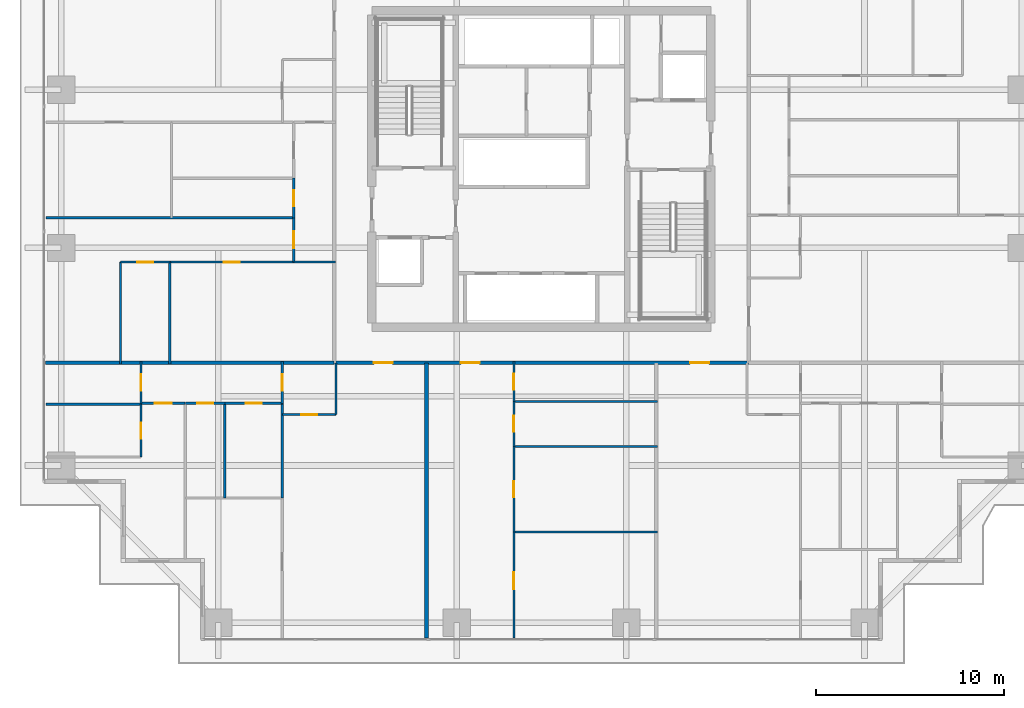
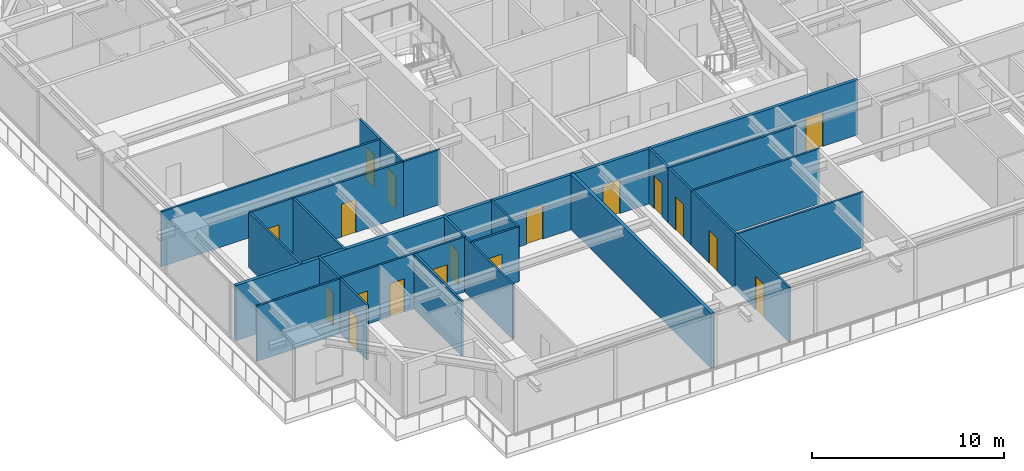
# One storey, part 26 of 37: 29 walls, 18 doors, 18 openings.
"""IFC4 building model written with IfcOpenShell, lengths in metres."""

from ifc_helpers import new_model, si_unit, direction, frame, frame_2d, origin, place, context, subcontext, project, spatial, rectangle, extrude, source, transform, mapped, material, layer, layer_set, type_object, element, fill, save


model = new_model("IFC4")

# Units and contexts
model_context = context("Model", 3, precision=1e-05, world=origin(), true_north=direction((0.0, 1.0)))
body_context = subcontext(model_context, "Body", "Model", "MODEL_VIEW")
ifc_project = project(units=[si_unit("LENGTHUNIT", "METRE"), si_unit("AREAUNIT", "SQUARE_METRE"), si_unit("VOLUMEUNIT", "CUBIC_METRE"), si_unit("PLANEANGLEUNIT", "RADIAN"), si_unit("MASSUNIT", "GRAM", prefix="KILO")], contexts=[model_context])

# Site, building, storey
site_placement = place(None, origin())
site = spatial("IfcSite", under=ifc_project, at=site_placement, CompositionType="ELEMENT")
building_placement = place(site_placement, origin())
building = spatial("IfcBuilding", under=site, at=building_placement, Name="Serunith Strait Residences", CompositionType="ELEMENT")
storey_placement = place(building_placement, frame((0.0, 0.0, 34.199951171875)))
storey = spatial("IfcBuildingStorey", under=building, at=storey_placement, Name="L07", CompositionType="ELEMENT", Elevation=34.199951171875)

# Wall, openings, doors
ifc_material_1 = material(Name="Fire-rated acoustic gypsum partition")
ifc_layer_1 = layer(ifc_material_1, 0.179931640625, Name="Fire-rated acoustic gypsum partition")
ifc_layer_set_1 = layer_set([ifc_layer_1], Name="Fire-rated acoustic gypsum partition")
wall_type_1 = type_object("IfcWallType", Name="IW-CORR-180", PredefinedType="PARTITIONING", material=ifc_layer_set_1)
wall_1_placement = place(storey_placement, frame((21.402099609375, 14.89990234375, 0.0), z_axis=(0.0, 0.0, 1.0), x_axis=(1.0, 0.0, 0.0)))
wall_1 = element("IfcWall", 1, at=wall_1_placement, inside=storey, type_object=wall_type_1, Name="L07 Partition Wall 023", PredefinedType="PARTITIONING", context=body_context, shape_type="SweptSolid", body=[
    extrude(rectangle(XDim=21.995849609375, YDim=0.179931640625, at=frame_2d((10.998046875, 0.0))), origin(), (0.0, 0.0, 1.0), 3.489990234375),
])
opening_1_placement = place(wall_1_placement, frame((2.10009765625, 0.0, 0.0)))
opening_1 = element("IfcOpeningElement", 2, at=opening_1_placement, cuts=wall_1, Name="Opening D-APT1000", PredefinedType="OPENING", context=body_context, shape_type="SweptSolid", body=[
    extrude(rectangle(XDim=1.0, YDim=2.14990234375, at=frame_2d((0.5, 1.074951171875))), frame((0.0, 0.10009765625, 0.0), z_axis=(0.0, -1.0, 0.0), x_axis=(1.0, 0.0, 0.0)), (0.0, 0.0, 1.0), 0.199951171875),
])
opening_2_placement = place(wall_1_placement, frame((6.718994140625, 0.0, 0.0)))
opening_2 = element("IfcOpeningElement", 3, at=opening_2_placement, cuts=wall_1, Name="Opening D-APT1000", PredefinedType="OPENING", context=body_context, shape_type="SweptSolid", body=[
    extrude(rectangle(XDim=1.0, YDim=2.14990234375, at=frame_2d((0.5, 1.074951171875))), frame((0.0, 0.10009765625, 0.0), z_axis=(0.0, -1.0, 0.0), x_axis=(1.0, 0.0, 0.0)), (0.0, 0.0, 1.0), 0.199951171875),
])
opening_3_placement = place(wall_1_placement, frame((18.89599609375, 0.0, 0.0)))
opening_3 = element("IfcOpeningElement", 4, at=opening_3_placement, cuts=wall_1, Name="Opening D-APT1000", PredefinedType="OPENING", context=body_context, shape_type="SweptSolid", body=[
    extrude(rectangle(XDim=1.0, YDim=2.14990234375, at=frame_2d((0.5, 1.074951171875))), frame((0.0, 0.10009765625, 0.0), z_axis=(0.0, -1.0, 0.0), x_axis=(1.0, 0.0, 0.0)), (0.0, 0.0, 1.0), 0.199951171875),
])
ifc_material_2 = material(Name="Solid timber engineered fire door", Category="wood")
door_type_1 = type_object("IfcDoorType", Name="ID-APT-1000", OperationType="NOTDEFINED", PredefinedType="DOOR", material=ifc_material_2)
shared_shape_1 = source(origin(), body_context, "Body", "SweptSolid", [
    extrude(rectangle(XDim=1.0, YDim=2.14990234375, at=frame_2d((0.5, 1.074951171875))), frame((0.0, 0.02490234375, 0.0), z_axis=(0.0, -1.0, 0.0), x_axis=(1.0, 0.0, 0.0)), (0.0, 0.0, 1.0), 0.050048828125),
])
door_1_placement = place(opening_1_placement, origin())
door_1 = element("IfcDoor", 5, at=door_1_placement, inside=storey, type_object=door_type_1, Name="L07 Unit 01 Entrance Door", OperationType="SINGLE_SWING_RIGHT", OverallHeight=2.14990234375, OverallWidth=1.0, PredefinedType="DOOR", context=body_context, shape_type="MappedRepresentation", body=[
    mapped(shared_shape_1, transform((0.0, 0.0, 0.0), scale=1.0)),
])
fill(opening_1, door_1)
door_2_placement = place(opening_2_placement, origin())
door_2 = element("IfcDoor", 6, at=door_2_placement, inside=storey, type_object=door_type_1, Name="L07 Unit 02 Entrance Door", OperationType="SINGLE_SWING_LEFT", OverallHeight=2.14990234375, OverallWidth=1.0, PredefinedType="DOOR", context=body_context, shape_type="MappedRepresentation", body=[
    mapped(shared_shape_1, transform((0.0, 0.0, 0.0), scale=1.0)),
])
fill(opening_2, door_2)
door_3_placement = place(opening_3_placement, origin())
door_3 = element("IfcDoor", 7, at=door_3_placement, inside=storey, type_object=door_type_1, Name="L07 Unit 03 Entrance Door", OperationType="SINGLE_SWING_RIGHT", OverallHeight=2.14990234375, OverallWidth=1.0, PredefinedType="DOOR", context=body_context, shape_type="MappedRepresentation", body=[
    mapped(shared_shape_1, transform((0.0, 0.0, 0.0), scale=1.0)),
])
fill(opening_3, door_3)

# Wall, opening, door
ifc_material_3 = material(Name="Lightweight steel-stud gypsum partition", Category="steel")
ifc_layer_2 = layer(ifc_material_3, 0.1201171875, Name="Lightweight steel-stud gypsum partition")
ifc_layer_set_2 = layer_set([ifc_layer_2], Name="Lightweight steel-stud gypsum partition")
wall_type_2 = type_object("IfcWallType", Name="IW-PART-120", PredefinedType="PARTITIONING", material=ifc_layer_set_2)
wall_2_placement = place(storey_placement, frame((18.639892578125, 12.14990234375, 0.0), z_axis=(0.0, 0.0, 1.0), x_axis=(1.0, 0.0, 0.0)))
wall_2 = element("IfcWall", 8, at=wall_2_placement, inside=storey, type_object=wall_type_2, Name="L07 Partition Wall 027", PredefinedType="PARTITIONING", context=body_context, shape_type="SweptSolid", body=[
    extrude(rectangle(XDim=2.85009765625, YDim=0.1201171875, at=frame_2d((1.425048828125, 0.0))), origin(), (0.0, 0.0, 1.0), 3.489990234375),
])
opening_4_placement = place(wall_2_placement, frame((1.0, 0.0, 0.0)))
opening_4 = element("IfcOpeningElement", 9, at=opening_4_placement, cuts=wall_2, Name="Opening D-RM850", PredefinedType="OPENING", context=body_context, shape_type="SweptSolid", body=[
    extrude(rectangle(XDim=0.85009765625, YDim=2.10009765625, at=frame_2d((0.425048828125, 1.050048828125))), frame((0.0, 0.070068359375, 0.0), z_axis=(0.0, -1.0, 0.0), x_axis=(1.0, 0.0, 0.0)), (0.0, 0.0, 1.0), 0.14013671875),
])
ifc_material_4 = material(Name="Engineered timber flush study and kitchen door", Category="wood")
door_type_2 = type_object("IfcDoorType", Name="ID-ROOM-850", OperationType="NOTDEFINED", PredefinedType="DOOR", material=ifc_material_4)
shared_shape_2 = source(origin(), body_context, "Body", "SweptSolid", [
    extrude(rectangle(XDim=0.85009765625, YDim=2.10009765625, at=frame_2d((0.425048828125, 1.050048828125))), frame((0.0, 0.02490234375, 0.0), z_axis=(0.0, -1.0, 0.0), x_axis=(1.0, 0.0, 0.0)), (0.0, 0.0, 1.0), 0.050048828125),
])
door_4_placement = place(opening_4_placement, origin())
door_4 = element("IfcDoor", 10, at=door_4_placement, inside=storey, type_object=door_type_2, Name="L07 Kitchen 0701 Door", OperationType="SINGLE_SWING_RIGHT", OverallHeight=2.10009765625, OverallWidth=0.85009765625, PredefinedType="DOOR", context=body_context, shape_type="MappedRepresentation", body=[
    mapped(shared_shape_2, transform((0.0, 0.0, 0.0), scale=1.0)),
])
fill(opening_4, door_4)

# Wall
wall_3_placement = place(storey_placement, frame((21.489990234375, 12.14990234375, 0.0), z_axis=(0.0, 0.0, 1.0), x_axis=(0.0, 1.0, 0.0)))
element("IfcWall", 11, at=wall_3_placement, inside=storey, type_object=wall_type_2, Name="L07 Partition Wall 028", PredefinedType="PARTITIONING", context=body_context, shape_type="SweptSolid", body=[
    extrude(rectangle(XDim=2.748046875, YDim=0.1201171875, at=frame_2d((1.3740234375, 0.0))), origin(), (0.0, 0.0, 1.0), 3.489990234375),
])

# Wall, opening, door
wall_4_placement = place(storey_placement, frame((18.639892578125, 12.75, 0.0), z_axis=(0.0, 0.0, 1.0), x_axis=(0.0, 1.0, 0.0)))
wall_4 = element("IfcWall", 12, at=wall_4_placement, inside=storey, type_object=wall_type_2, Name="L07 Partition Wall 029", PredefinedType="PARTITIONING", context=body_context, shape_type="SweptSolid", body=[
    extrude(rectangle(XDim=2.2099609375, YDim=0.1201171875, at=frame_2d((1.10498046875, 0.0))), origin(), (0.0, 0.0, 1.0), 3.489990234375),
])
opening_5_placement = place(wall_4_placement, frame((0.655029296875, 0.0, 0.0)))
opening_5 = element("IfcOpeningElement", 13, at=opening_5_placement, cuts=wall_4, Name="Opening D-RM900", PredefinedType="OPENING", context=body_context, shape_type="SweptSolid", body=[
    extrude(rectangle(XDim=0.89990234375, YDim=2.10009765625, at=frame_2d((0.449951171875, 1.050048828125))), frame((0.0, 0.070068359375, 0.0), z_axis=(0.0, -1.0, 0.0), x_axis=(1.0, 0.0, 0.0)), (0.0, 0.0, 1.0), 0.14013671875),
])
ifc_material_5 = material(Name="Engineered timber flush bedroom door", Category="wood")
door_type_3 = type_object("IfcDoorType", Name="ID-ROOM-900", OperationType="NOTDEFINED", PredefinedType="DOOR", material=ifc_material_5)
shared_shape_3 = source(origin(), body_context, "Body", "SweptSolid", [
    extrude(rectangle(XDim=0.89990234375, YDim=2.10009765625, at=frame_2d((0.449951171875, 1.050048828125))), frame((0.0, 0.02490234375, 0.0), z_axis=(0.0, -1.0, 0.0), x_axis=(1.0, 0.0, 0.0)), (0.0, 0.0, 1.0), 0.050048828125),
])
door_5_placement = place(opening_5_placement, origin())
door_5 = element("IfcDoor", 14, at=door_5_placement, inside=storey, type_object=door_type_3, Name="L07 Hall W 0701 Door", OperationType="SINGLE_SWING_LEFT", OverallHeight=2.10009765625, OverallWidth=0.89990234375, PredefinedType="DOOR", context=body_context, shape_type="MappedRepresentation", body=[
    mapped(shared_shape_3, transform((0.0, 0.0, 0.0), scale=1.0)),
])
fill(opening_5, door_5)

# Walls
wall_5_placement = place(storey_placement, frame((18.639892578125, 7.72998046875, 0.0), z_axis=(0.0, 0.0, 1.0), x_axis=(0.0, 1.0, 0.0)))
element("IfcWall", 15, at=wall_5_placement, inside=storey, type_object=wall_type_2, Name="L07 Partition Wall 031", PredefinedType="PARTITIONING", context=body_context, shape_type="SweptSolid", body=[
    extrude(rectangle(XDim=5.01806640625, YDim=0.1201171875, at=frame_2d((2.509033203125, 0.0))), origin(), (0.0, 0.0, 1.0), 3.489990234375),
])
wall_6_placement = place(storey_placement, frame((15.590087890625, 7.72802734375, 0.0), z_axis=(0.0, 0.0, 1.0), x_axis=(0.0, 1.0, 0.0)))
element("IfcWall", 16, at=wall_6_placement, inside=storey, type_object=wall_type_2, Name="L07 Partition Wall 034", PredefinedType="PARTITIONING", context=body_context, shape_type="SweptSolid", body=[
    extrude(rectangle(XDim=5.02197265625, YDim=0.1201171875, at=frame_2d((2.510986328125, 0.0))), origin(), (0.0, 0.0, 1.0), 3.489990234375),
])

# Wall, opening, door
wall_7_placement = place(storey_placement, frame((13.489990234375, 12.75, 0.0), z_axis=(0.0, 0.0, 1.0), x_axis=(1.0, 0.0, 0.0)))
wall_7 = element("IfcWall", 17, at=wall_7_placement, inside=storey, type_object=wall_type_2, Name="L07 Partition Wall 035", PredefinedType="PARTITIONING", context=body_context, shape_type="SweptSolid", body=[
    extrude(rectangle(XDim=2.10009765625, YDim=0.1201171875, at=frame_2d((1.050048828125, 0.0))), origin(), (0.0, 0.0, 1.0), 3.489990234375),
])
opening_6_placement = place(wall_7_placement, frame((0.625, 0.0, 0.0)))
opening_6 = element("IfcOpeningElement", 18, at=opening_6_placement, cuts=wall_7, Name="Opening D-BTH850", PredefinedType="OPENING", context=body_context, shape_type="SweptSolid", body=[
    extrude(rectangle(XDim=0.85009765625, YDim=2.10009765625, at=frame_2d((0.425048828125, 1.050048828125))), frame((0.0, 0.070068359375, 0.0), z_axis=(0.0, -1.0, 0.0), x_axis=(1.0, 0.0, 0.0)), (0.0, 0.0, 1.0), 0.14013671875),
])
ifc_material_6 = material(Name="Moisture-resistant timber bathroom door", Category="wood")
door_type_4 = type_object("IfcDoorType", Name="ID-BATH-850", OperationType="NOTDEFINED", PredefinedType="DOOR", material=ifc_material_6)
door_6_placement = place(opening_6_placement, origin())
door_6 = element("IfcDoor", 19, at=door_6_placement, inside=storey, type_object=door_type_4, Name="L07 Bathroom 0701 Door", OperationType="SINGLE_SWING_LEFT", OverallHeight=2.10009765625, OverallWidth=0.85009765625, PredefinedType="DOOR", context=body_context, shape_type="MappedRepresentation", body=[
    mapped(shared_shape_2, transform((0.0, 0.0, 0.0), scale=1.0)),
])
fill(opening_6, door_6)

wall_8_placement = place(storey_placement, frame((15.592041015625, 12.75, 0.0), z_axis=(0.0, 0.0, 1.0), x_axis=(1.0, 0.0, 0.0)))
wall_8 = element("IfcWall", 20, at=wall_8_placement, inside=storey, type_object=wall_type_2, Name="L07 Partition Wall 036", PredefinedType="PARTITIONING", context=body_context, shape_type="SweptSolid", body=[
    extrude(rectangle(XDim=3.0478515625, YDim=0.1201171875, at=frame_2d((1.52392578125, 0.0))), origin(), (0.0, 0.0, 1.0), 3.489990234375),
])
opening_7_placement = place(wall_8_placement, frame((1.09912109375, 0.0, 0.0)))
opening_7 = element("IfcOpeningElement", 21, at=opening_7_placement, cuts=wall_8, Name="Opening D-RM850", PredefinedType="OPENING", context=body_context, shape_type="SweptSolid", body=[
    extrude(rectangle(XDim=0.85009765625, YDim=2.10009765625, at=frame_2d((0.425048828125, 1.050048828125))), frame((0.0, 0.070068359375, 0.0), z_axis=(0.0, -1.0, 0.0), x_axis=(1.0, 0.0, 0.0)), (0.0, 0.0, 1.0), 0.14013671875),
])
door_7_placement = place(opening_7_placement, origin())
door_7 = element("IfcDoor", 22, at=door_7_placement, inside=storey, type_object=door_type_2, Name="L07 Formal Dining Room 0701 Door", OperationType="SINGLE_SWING_RIGHT", OverallHeight=2.10009765625, OverallWidth=0.85009765625, PredefinedType="DOOR", context=body_context, shape_type="MappedRepresentation", body=[
    mapped(shared_shape_2, transform((0.0, 0.0, 0.0), scale=1.0)),
])
fill(opening_7, door_7)

wall_9_placement = place(storey_placement, frame((11.139892578125, 12.75, 0.0), z_axis=(0.0, 0.0, 1.0), x_axis=(1.0, 0.0, 0.0)))
wall_9 = element("IfcWall", 23, at=wall_9_placement, inside=storey, type_object=wall_type_2, Name="L07 Partition Wall 037", PredefinedType="PARTITIONING", context=body_context, shape_type="SweptSolid", body=[
    extrude(rectangle(XDim=2.34814453125, YDim=0.1201171875, at=frame_2d((1.174072265625, 0.0))), origin(), (0.0, 0.0, 1.0), 3.489990234375),
])
opening_8_placement = place(wall_9_placement, frame((0.72412109375, 0.0, 0.0)))
opening_8 = element("IfcOpeningElement", 24, at=opening_8_placement, cuts=wall_9, Name="Opening D-RM900", PredefinedType="OPENING", context=body_context, shape_type="SweptSolid", body=[
    extrude(rectangle(XDim=0.89990234375, YDim=2.10009765625, at=frame_2d((0.449951171875, 1.050048828125))), frame((0.0, 0.070068359375, 0.0), z_axis=(0.0, -1.0, 0.0), x_axis=(1.0, 0.0, 0.0)), (0.0, 0.0, 1.0), 0.14013671875),
])
door_8_placement = place(opening_8_placement, origin())
door_8 = element("IfcDoor", 25, at=door_8_placement, inside=storey, type_object=door_type_3, Name="L07 Master Bedroom W 0701 Door", OperationType="SINGLE_SWING_LEFT", OverallHeight=2.10009765625, OverallWidth=0.89990234375, PredefinedType="DOOR", context=body_context, shape_type="MappedRepresentation", body=[
    mapped(shared_shape_3, transform((0.0, 0.0, 0.0), scale=1.0)),
])
fill(opening_8, door_8)

# Wall
wall_10_placement = place(storey_placement, frame((6.094970703125, 12.701904296875, 0.0), z_axis=(0.0, 0.0, 1.0), x_axis=(1.0, 0.0, 0.0)))
element("IfcWall", 26, at=wall_10_placement, inside=storey, type_object=wall_type_2, Name="L07 Partition Wall 039", PredefinedType="PARTITIONING", context=body_context, shape_type="SweptSolid", body=[
    extrude(rectangle(XDim=5.04296875, YDim=0.1201171875, at=frame_2d((2.521484375, 0.0))), origin(), (0.0, 0.0, 1.0), 3.489990234375),
])

# Wall, opening, door
wall_11_placement = place(storey_placement, frame((11.139892578125, 9.89404296875, 0.0), z_axis=(0.0, 0.0, 1.0), x_axis=(0.0, 1.0, 0.0)))
wall_11 = element("IfcWall", 27, at=wall_11_placement, inside=storey, type_object=wall_type_2, Name="L07 Partition Wall 040", PredefinedType="PARTITIONING", context=body_context, shape_type="SweptSolid", body=[
    extrude(rectangle(XDim=2.807861328125, YDim=0.1201171875, at=frame_2d((1.40380859375, 0.0))), origin(), (0.0, 0.0, 1.0), 3.489990234375),
])
opening_9_placement = place(wall_11_placement, frame((0.97900390625, 0.0, 0.0)))
opening_9 = element("IfcOpeningElement", 28, at=opening_9_placement, cuts=wall_11, Name="Opening D-BTH850", PredefinedType="OPENING", context=body_context, shape_type="SweptSolid", body=[
    extrude(rectangle(XDim=0.85009765625, YDim=2.10009765625, at=frame_2d((0.425048828125, 1.050048828125))), frame((0.0, 0.070068359375, 0.0), z_axis=(0.0, -1.0, 0.0), x_axis=(1.0, 0.0, 0.0)), (0.0, 0.0, 1.0), 0.14013671875),
])
door_9_placement = place(opening_9_placement, origin())
door_9 = element("IfcDoor", 29, at=door_9_placement, inside=storey, type_object=door_type_4, Name="L07 En-suite Bathroom W 0701 Door", OperationType="SINGLE_SWING_RIGHT", OverallHeight=2.10009765625, OverallWidth=0.85009765625, PredefinedType="DOOR", context=body_context, shape_type="MappedRepresentation", body=[
    mapped(shared_shape_2, transform((0.0, 0.0, 0.0), scale=1.0)),
])
fill(opening_9, door_9)

wall_12_placement = place(storey_placement, frame((11.139892578125, 12.75, 0.0), z_axis=(0.0, 0.0, 1.0), x_axis=(0.0, 1.0, 0.0)))
wall_12 = element("IfcWall", 30, at=wall_12_placement, inside=storey, type_object=wall_type_2, Name="L07 Partition Wall 041", PredefinedType="PARTITIONING", context=body_context, shape_type="SweptSolid", body=[
    extrude(rectangle(XDim=2.2099609375, YDim=0.1201171875, at=frame_2d((1.10498046875, 0.0))), origin(), (0.0, 0.0, 1.0), 3.489990234375),
])
opening_10_placement = place(wall_12_placement, frame((0.679931640625, 0.0, 0.0)))
opening_10 = element("IfcOpeningElement", 31, at=opening_10_placement, cuts=wall_12, Name="Opening D-RM850", PredefinedType="OPENING", context=body_context, shape_type="SweptSolid", body=[
    extrude(rectangle(XDim=0.85009765625, YDim=2.10009765625, at=frame_2d((0.425048828125, 1.050048828125))), frame((0.0, 0.070068359375, 0.0), z_axis=(0.0, -1.0, 0.0), x_axis=(1.0, 0.0, 0.0)), (0.0, 0.0, 1.0), 0.14013671875),
])
door_10_placement = place(opening_10_placement, origin())
door_10 = element("IfcDoor", 32, at=door_10_placement, inside=storey, type_object=door_type_2, Name="L07 Wardrobe W 0701 Door", OperationType="SINGLE_SWING_LEFT", OverallHeight=2.10009765625, OverallWidth=0.85009765625, PredefinedType="DOOR", context=body_context, shape_type="MappedRepresentation", body=[
    mapped(shared_shape_2, transform((0.0, 0.0, 0.0), scale=1.0)),
])
fill(opening_10, door_10)

wall_13_placement = place(storey_placement, frame((30.93994140625, 0.294921875, 0.0), z_axis=(0.0, 0.0, 1.0), x_axis=(0.0, 1.0, 0.0)))
wall_13 = element("IfcWall", 33, at=wall_13_placement, inside=storey, type_object=wall_type_2, Name="L07 Partition Wall 042", PredefinedType="PARTITIONING", context=body_context, shape_type="SweptSolid", body=[
    extrude(rectangle(XDim=5.619140625, YDim=0.1201171875, at=frame_2d((2.8095703125, 0.0))), origin(), (0.0, 0.0, 1.0), 3.489990234375),
])
opening_11_placement = place(wall_13_placement, frame((2.594970703125, 0.0, 0.0)))
opening_11 = element("IfcOpeningElement", 34, at=opening_11_placement, cuts=wall_13, Name="Opening D-RM900", PredefinedType="OPENING", context=body_context, shape_type="SweptSolid", body=[
    extrude(rectangle(XDim=0.89990234375, YDim=2.10009765625, at=frame_2d((0.449951171875, 1.050048828125))), frame((0.0, 0.070068359375, 0.0), z_axis=(0.0, -1.0, 0.0), x_axis=(1.0, 0.0, 0.0)), (0.0, 0.0, 1.0), 0.14013671875),
])
door_11_placement = place(opening_11_placement, origin())
door_11 = element("IfcDoor", 35, at=door_11_placement, inside=storey, type_object=door_type_3, Name="L07 Master Bedroom 1 0702 Door", OperationType="SINGLE_SWING_RIGHT", OverallHeight=2.10009765625, OverallWidth=0.89990234375, PredefinedType="DOOR", context=body_context, shape_type="MappedRepresentation", body=[
    mapped(shared_shape_3, transform((0.0, 0.0, 0.0), scale=1.0)),
])
fill(opening_11, door_11)

# Walls
for number, where, z_axis, x_axis, name in (
    (36, (30.93994140625, 5.9140625, 0.0), (0.0, 0.0, 1.0), (1.0, 0.0, 0.0), "L07 Partition Wall 043"),
    (37, (30.93994140625, 10.4560546875, 0.0), (0.0, 0.0, 1.0), (1.0, 0.0, 0.0), "L07 Partition Wall 044"),
    (38, (30.93994140625, 12.85009765625, 0.0), (0.0, 0.0, 1.0), (1.0, 0.0, 0.0), "L07 Partition Wall 045"),
):
    element("IfcWall", number, at=place(storey_placement, frame(where, z_axis=z_axis, x_axis=x_axis)), inside=storey, type_object=wall_type_2, Name=name, PredefinedType="PARTITIONING", context=body_context, shape_type="SweptSolid", body=[
        extrude(rectangle(XDim=7.6201171875, YDim=0.1201171875, at=frame_2d((3.81005859375, 0.0))), origin(), (0.0, 0.0, 1.0), 3.489990234375),
    ])

# Wall, opening, door
wall_14_placement = place(storey_placement, frame((30.93994140625, 5.916015625, 0.0), z_axis=(0.0, 0.0, 1.0), x_axis=(0.0, 1.0, 0.0)))
wall_14 = element("IfcWall", 39, at=wall_14_placement, inside=storey, type_object=wall_type_2, Name="L07 Partition Wall 046", PredefinedType="PARTITIONING", context=body_context, shape_type="SweptSolid", body=[
    extrude(rectangle(XDim=4.5400390625, YDim=0.1201171875, at=frame_2d((2.27001953125, 0.0))), origin(), (0.0, 0.0, 1.0), 3.489990234375),
])
opening_12_placement = place(wall_14_placement, frame((1.844970703125, 0.0, 0.0)))
opening_12 = element("IfcOpeningElement", 40, at=opening_12_placement, cuts=wall_14, Name="Opening D-RM850", PredefinedType="OPENING", context=body_context, shape_type="SweptSolid", body=[
    extrude(rectangle(XDim=0.85009765625, YDim=2.10009765625, at=frame_2d((0.425048828125, 1.050048828125))), frame((0.0, 0.070068359375, 0.0), z_axis=(0.0, -1.0, 0.0), x_axis=(1.0, 0.0, 0.0)), (0.0, 0.0, 1.0), 0.14013671875),
])
door_12_placement = place(opening_12_placement, origin())
door_12 = element("IfcDoor", 41, at=door_12_placement, inside=storey, type_object=door_type_2, Name="L07 Dining 0702 Door", OperationType="SINGLE_SWING_LEFT", OverallHeight=2.10009765625, OverallWidth=0.85009765625, PredefinedType="DOOR", context=body_context, shape_type="MappedRepresentation", body=[
    mapped(shared_shape_2, transform((0.0, 0.0, 0.0), scale=1.0)),
])
fill(opening_12, door_12)

wall_15_placement = place(storey_placement, frame((30.93994140625, 10.4580078125, 0.0), z_axis=(0.0, 0.0, 1.0), x_axis=(0.0, 1.0, 0.0)))
wall_15 = element("IfcWall", 42, at=wall_15_placement, inside=storey, type_object=wall_type_2, Name="L07 Partition Wall 047", PredefinedType="PARTITIONING", context=body_context, shape_type="SweptSolid", body=[
    extrude(rectangle(XDim=2.39208984375, YDim=0.1201171875, at=frame_2d((1.196044921875, 0.0))), origin(), (0.0, 0.0, 1.0), 3.489990234375),
])
opening_13_placement = place(wall_15_placement, frame((0.77099609375, 0.0, 0.0)))
opening_13 = element("IfcOpeningElement", 43, at=opening_13_placement, cuts=wall_15, Name="Opening D-RM850", PredefinedType="OPENING", context=body_context, shape_type="SweptSolid", body=[
    extrude(rectangle(XDim=0.85009765625, YDim=2.10009765625, at=frame_2d((0.425048828125, 1.050048828125))), frame((0.0, 0.070068359375, 0.0), z_axis=(0.0, -1.0, 0.0), x_axis=(1.0, 0.0, 0.0)), (0.0, 0.0, 1.0), 0.14013671875),
])
door_13_placement = place(opening_13_placement, origin())
door_13 = element("IfcDoor", 44, at=door_13_placement, inside=storey, type_object=door_type_2, Name="L07 Kitchen 0702 Door", OperationType="SINGLE_SWING_RIGHT", OverallHeight=2.10009765625, OverallWidth=0.85009765625, PredefinedType="DOOR", context=body_context, shape_type="MappedRepresentation", body=[
    mapped(shared_shape_2, transform((0.0, 0.0, 0.0), scale=1.0)),
])
fill(opening_13, door_13)

wall_16_placement = place(storey_placement, frame((30.93994140625, 12.85205078125, 0.0), z_axis=(0.0, 0.0, 1.0), x_axis=(0.0, 1.0, 0.0)))
wall_16 = element("IfcWall", 45, at=wall_16_placement, inside=storey, type_object=wall_type_2, Name="L07 Partition Wall 048", PredefinedType="PARTITIONING", context=body_context, shape_type="SweptSolid", body=[
    extrude(rectangle(XDim=2.10791015625, YDim=0.1201171875, at=frame_2d((1.053955078125, 0.0))), origin(), (0.0, 0.0, 1.0), 3.489990234375),
])
opening_14_placement = place(wall_16_placement, frame((0.62890625, 0.0, 0.0)))
opening_14 = element("IfcOpeningElement", 46, at=opening_14_placement, cuts=wall_16, Name="Opening D-BTH850", PredefinedType="OPENING", context=body_context, shape_type="SweptSolid", body=[
    extrude(rectangle(XDim=0.85009765625, YDim=2.10009765625, at=frame_2d((0.425048828125, 1.050048828125))), frame((0.0, 0.070068359375, 0.0), z_axis=(0.0, -1.0, 0.0), x_axis=(1.0, 0.0, 0.0)), (0.0, 0.0, 1.0), 0.14013671875),
])
door_14_placement = place(opening_14_placement, origin())
door_14 = element("IfcDoor", 47, at=door_14_placement, inside=storey, type_object=door_type_4, Name="L07 Bathroom 0702 Door", OperationType="SINGLE_SWING_LEFT", OverallHeight=2.10009765625, OverallWidth=0.85009765625, PredefinedType="DOOR", context=body_context, shape_type="MappedRepresentation", body=[
    mapped(shared_shape_2, transform((0.0, 0.0, 0.0), scale=1.0)),
])
fill(opening_14, door_14)

# Wall
wall_17_placement = place(storey_placement, frame((6.094970703125, 22.60009765625, 0.0), z_axis=(0.0, 0.0, 1.0), x_axis=(1.0, 0.0, 0.0)))
element("IfcWall", 48, at=wall_17_placement, inside=storey, type_object=wall_type_2, Name="L07 Partition Wall 107", PredefinedType="PARTITIONING", context=body_context, shape_type="SweptSolid", body=[
    extrude(rectangle(XDim=13.155029296875, YDim=0.1201171875, at=frame_2d((6.57763671875, 0.0))), origin(), (0.0, 0.0, 1.0), 3.489990234375),
])

# Wall, opening, door
wall_18_placement = place(storey_placement, frame((19.25, 22.60009765625, 0.0), z_axis=(0.0, 0.0, 1.0), x_axis=(0.0, 1.0, 0.0)))
wall_18 = element("IfcWall", 49, at=wall_18_placement, inside=storey, type_object=wall_type_2, Name="L07 Partition Wall 109", PredefinedType="PARTITIONING", context=body_context, shape_type="SweptSolid", body=[
    extrude(rectangle(XDim=2.099853515625, YDim=0.1201171875, at=frame_2d((1.0498046875, 0.0))), origin(), (0.0, 0.0, 1.0), 3.489990234375),
])
opening_15_placement = place(wall_18_placement, frame((0.625, 0.0, 0.0)))
opening_15 = element("IfcOpeningElement", 50, at=opening_15_placement, cuts=wall_18, Name="Opening D-BTH850", PredefinedType="OPENING", context=body_context, shape_type="SweptSolid", body=[
    extrude(rectangle(XDim=0.85009765625, YDim=2.10009765625, at=frame_2d((0.425048828125, 1.050048828125))), frame((0.0, 0.070068359375, 0.0), z_axis=(0.0, -1.0, 0.0), x_axis=(1.0, 0.0, 0.0)), (0.0, 0.0, 1.0), 0.14013671875),
])
door_15_placement = place(opening_15_placement, origin())
door_15 = element("IfcDoor", 51, at=door_15_placement, inside=storey, type_object=door_type_4, Name="L07 Bathroom 0707 Door", OperationType="SINGLE_SWING_LEFT", OverallHeight=2.10009765625, OverallWidth=0.85009765625, PredefinedType="DOOR", context=body_context, shape_type="MappedRepresentation", body=[
    mapped(shared_shape_2, transform((0.0, 0.0, 0.0), scale=1.0)),
])
fill(opening_15, door_15)

wall_19_placement = place(storey_placement, frame((19.25, 20.25, 0.0), z_axis=(0.0, 0.0, 1.0), x_axis=(0.0, 1.0, 0.0)))
wall_19 = element("IfcWall", 52, at=wall_19_placement, inside=storey, type_object=wall_type_2, Name="L07 Partition Wall 111", PredefinedType="PARTITIONING", context=body_context, shape_type="SweptSolid", body=[
    extrude(rectangle(XDim=2.347900390625, YDim=0.1201171875, at=frame_2d((1.173828125, 0.0))), origin(), (0.0, 0.0, 1.0), 3.489990234375),
])
opening_16_placement = place(wall_19_placement, frame((0.72412109375, 0.0, 0.0)))
opening_16 = element("IfcOpeningElement", 53, at=opening_16_placement, cuts=wall_19, Name="Opening D-RM900", PredefinedType="OPENING", context=body_context, shape_type="SweptSolid", body=[
    extrude(rectangle(XDim=0.89990234375, YDim=2.10009765625, at=frame_2d((0.449951171875, 1.050048828125))), frame((0.0, 0.070068359375, 0.0), z_axis=(0.0, -1.0, 0.0), x_axis=(1.0, 0.0, 0.0)), (0.0, 0.0, 1.0), 0.14013671875),
])
door_16_placement = place(opening_16_placement, origin())
door_16 = element("IfcDoor", 54, at=door_16_placement, inside=storey, type_object=door_type_3, Name="L07 Master Bedroom W 0707 Door", OperationType="SINGLE_SWING_LEFT", OverallHeight=2.10009765625, OverallWidth=0.89990234375, PredefinedType="DOOR", context=body_context, shape_type="MappedRepresentation", body=[
    mapped(shared_shape_3, transform((0.0, 0.0, 0.0), scale=1.0)),
])
fill(opening_16, door_16)

# Walls
for number, where, z_axis, x_axis, name in (
    (55, (10.050048828125, 14.840087890625, 0.0), (0.0, 0.0, 1.0), (0.0, 1.0, 0.0), "L07 Partition Wall 112"),
    (56, (12.6669921875, 14.840087890625, 0.0), (0.0, 0.0, 1.0), (0.0, 1.0, 0.0), "L07 Partition Wall 113"),
):
    element("IfcWall", number, at=place(storey_placement, frame(where, z_axis=z_axis, x_axis=x_axis)), inside=storey, type_object=wall_type_2, Name=name, PredefinedType="PARTITIONING", context=body_context, shape_type="SweptSolid", body=[
        extrude(rectangle(XDim=5.409912109375, YDim=0.1201171875, at=frame_2d((2.705078125, 0.0))), origin(), (0.0, 0.0, 1.0), 3.489990234375),
    ])

# Wall, opening, door
wall_20_placement = place(storey_placement, frame((10.050048828125, 20.25, 0.0), z_axis=(0.0, 0.0, 1.0), x_axis=(1.0, 0.0, 0.0)))
wall_20 = element("IfcWall", 57, at=wall_20_placement, inside=storey, type_object=wall_type_2, Name="L07 Partition Wall 114", PredefinedType="PARTITIONING", context=body_context, shape_type="SweptSolid", body=[
    extrude(rectangle(XDim=2.616943359375, YDim=0.1201171875, at=frame_2d((1.30859375, 0.0))), origin(), (0.0, 0.0, 1.0), 3.489990234375),
])
opening_17_placement = place(wall_20_placement, frame((0.883056640625, 0.0, 0.0)))
opening_17 = element("IfcOpeningElement", 58, at=opening_17_placement, cuts=wall_20, Name="Opening D-BTH850", PredefinedType="OPENING", context=body_context, shape_type="SweptSolid", body=[
    extrude(rectangle(XDim=0.85009765625, YDim=2.10009765625, at=frame_2d((0.425048828125, 1.050048828125))), frame((0.0, 0.070068359375, 0.0), z_axis=(0.0, -1.0, 0.0), x_axis=(1.0, 0.0, 0.0)), (0.0, 0.0, 1.0), 0.14013671875),
])
door_17_placement = place(opening_17_placement, origin())
door_17 = element("IfcDoor", 59, at=door_17_placement, inside=storey, type_object=door_type_4, Name="L07 En-suite Bathroom W 0707 Door", OperationType="SINGLE_SWING_RIGHT", OverallHeight=2.10009765625, OverallWidth=0.85009765625, PredefinedType="DOOR", context=body_context, shape_type="MappedRepresentation", body=[
    mapped(shared_shape_2, transform((0.0, 0.0, 0.0), scale=1.0)),
])
fill(opening_17, door_17)

wall_21_placement = place(storey_placement, frame((12.6689453125, 20.25, 0.0), z_axis=(0.0, 0.0, 1.0), x_axis=(1.0, 0.0, 0.0)))
wall_21 = element("IfcWall", 60, at=wall_21_placement, inside=storey, type_object=wall_type_2, Name="L07 Partition Wall 115", PredefinedType="PARTITIONING", context=body_context, shape_type="SweptSolid", body=[
    extrude(rectangle(XDim=6.5810546875, YDim=0.1201171875, at=frame_2d((3.29052734375, 0.0))), origin(), (0.0, 0.0, 1.0), 3.489990234375),
])
opening_18_placement = place(wall_21_placement, frame((2.864990234375, 0.0, 0.0)))
opening_18 = element("IfcOpeningElement", 61, at=opening_18_placement, cuts=wall_21, Name="Opening D-RM850", PredefinedType="OPENING", context=body_context, shape_type="SweptSolid", body=[
    extrude(rectangle(XDim=0.85009765625, YDim=2.10009765625, at=frame_2d((0.425048828125, 1.050048828125))), frame((0.0, 0.070068359375, 0.0), z_axis=(0.0, -1.0, 0.0), x_axis=(1.0, 0.0, 0.0)), (0.0, 0.0, 1.0), 0.14013671875),
])
door_18_placement = place(opening_18_placement, origin())
door_18 = element("IfcDoor", 62, at=door_18_placement, inside=storey, type_object=door_type_2, Name="L07 Wardrobe W 0707 Door", OperationType="SINGLE_SWING_LEFT", OverallHeight=2.10009765625, OverallWidth=0.85009765625, PredefinedType="DOOR", context=body_context, shape_type="MappedRepresentation", body=[
    mapped(shared_shape_2, transform((0.0, 0.0, 0.0), scale=1.0)),
])
fill(opening_18, door_18)

# Walls
wall_22_placement = place(storey_placement, frame((19.251953125, 20.25, 0.0), z_axis=(0.0, 0.0, 1.0), x_axis=(1.0, 0.0, 0.0)))
element("IfcWall", 63, at=wall_22_placement, inside=storey, type_object=wall_type_2, Name="L07 Partition Wall 116", PredefinedType="PARTITIONING", context=body_context, shape_type="SweptSolid", body=[
    extrude(rectangle(XDim=2.2080078125, YDim=0.1201171875, at=frame_2d((1.10400390625, 0.0))), origin(), (0.0, 0.0, 1.0), 3.489990234375),
])
ifc_material_7 = material(Name="Twin-stud acoustic gypsum board partition")
ifc_layer_3 = layer(ifc_material_7, 0.199951171875, Name="Twin-stud acoustic gypsum board partition")
ifc_layer_set_3 = layer_set([ifc_layer_3], Name="Twin-stud acoustic gypsum board partition")
wall_type_3 = type_object("IfcWallType", Name="IW-PARTY-200", PredefinedType="PARTITIONING", material=ifc_layer_set_3)
wall_23_placement = place(storey_placement, frame((26.300048828125, 0.281982421875, 0.0), z_axis=(0.0, 0.0, 1.0), x_axis=(0.0, 1.0, 0.0)))
element("IfcWall", 64, at=wall_23_placement, inside=storey, type_object=wall_type_3, Name="L07 Partition Wall 015", PredefinedType="PARTITIONING", context=body_context, shape_type="SweptSolid", body=[
    extrude(rectangle(XDim=14.617919921875, YDim=0.199951171875, at=frame_2d((7.30908203125, 0.0))), origin(), (0.0, 0.0, 1.0), 3.489990234375),
])
wall_24_placement = place(storey_placement, frame((6.08203125, 14.89990234375, 0.0), z_axis=(0.0, 0.0, 1.0), x_axis=(1.0, 0.0, 0.0)))
element("IfcWall", 65, at=wall_24_placement, inside=storey, type_object=wall_type_3, Name="L07 Partition Wall 019", PredefinedType="PARTITIONING", context=body_context, shape_type="SweptSolid", body=[
    extrude(rectangle(XDim=15.31787109375, YDim=0.199951171875, at=frame_2d((7.658935546875, 0.0))), origin(), (0.0, 0.0, 1.0), 3.489990234375),
])

save(model, "model.ifc")
